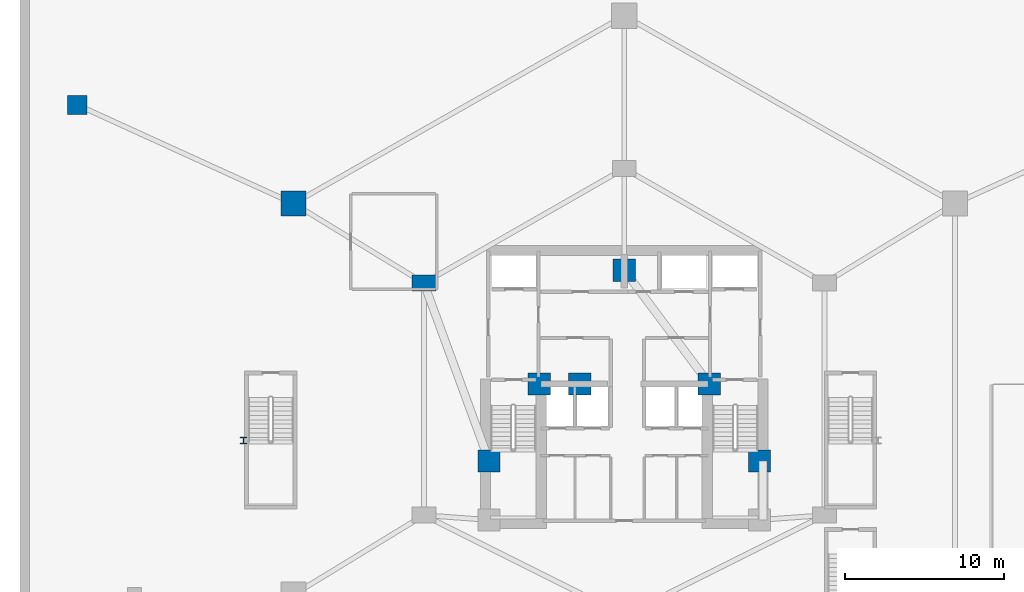
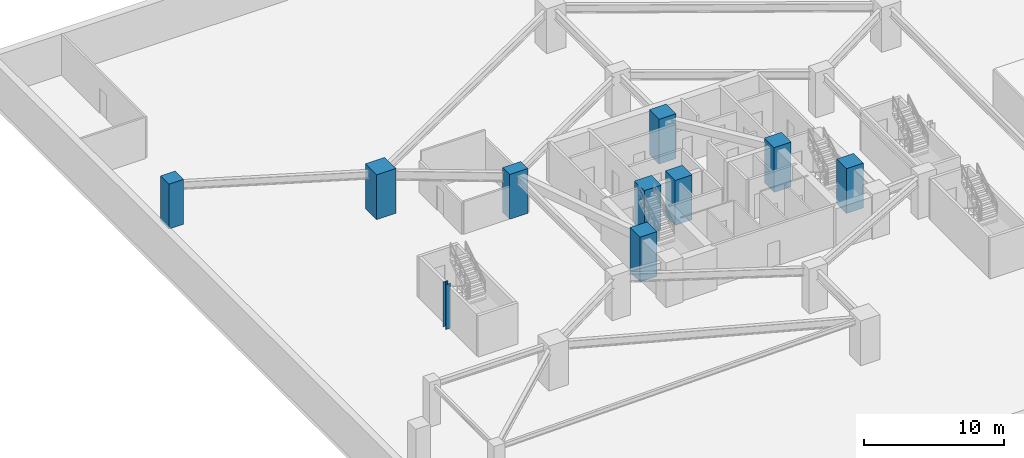
# One storey, part 2 of 12: 10 columns.
"""IFC4 building model written with IfcOpenShell, lengths in metres."""

from ifc_helpers import new_model, si_unit, direction, frame, origin, origin_2d, place, context, subcontext, project, spatial, rectangle, i_section, extrude, material, material_profile, profile_set, type_object, element, save


model = new_model("IFC4")

# Units and contexts
model_context = context("Model", 3, precision=1e-05, world=origin(), true_north=direction((0.0, 1.0)))
body_context = subcontext(model_context, "Body", "Model", "MODEL_VIEW")
ifc_project = project(units=[si_unit("LENGTHUNIT", "METRE"), si_unit("AREAUNIT", "SQUARE_METRE"), si_unit("VOLUMEUNIT", "CUBIC_METRE"), si_unit("PLANEANGLEUNIT", "RADIAN"), si_unit("MASSUNIT", "GRAM", prefix="KILO")], contexts=[model_context])

# Site, building, storey
site_placement = place(None, origin())
site = spatial("IfcSite", under=ifc_project, at=site_placement, CompositionType="ELEMENT")
building_placement = place(site_placement, origin())
building = spatial("IfcBuilding", under=site, at=building_placement, Name="Miruveldt Soraemaru", CompositionType="ELEMENT")
storey_placement = place(building_placement, frame((0.0, 0.0, -7.800048828125)))
storey = spatial("IfcBuildingStorey", under=building, at=storey_placement, Name="B2", CompositionType="ELEMENT", Elevation=-7.800048828125)

# Columns
ifc_material_1 = material(Name="Concrete C70/85 (70 MPa)", Category="concrete")
ifc_material_profile_1 = material_profile(ifc_material_1, rectangle(XDim=1.199951171875, YDim=1.199951171875, at=origin_2d()), Name="Concrete C70/85 (70 MPa)", Category="concrete")
ifc_profile_set_1 = profile_set([ifc_material_profile_1], Name="Concrete C70/85 (70 MPa)")
column_type_1 = type_object("IfcColumnType", Name="COL-CORE-1200", PredefinedType="COLUMN", material=ifc_profile_set_1)
column_1_placement = place(storey_placement, frame((9.60009765625, 61.60009765625, 0.0), z_axis=(0.0, 0.0, 1.0), x_axis=(1.0, 0.0, 0.0)))
element("IfcColumn", 1, at=column_1_placement, inside=storey, type_object=column_type_1, Name="B2 Structural Column BC2", PredefinedType="COLUMN", context=body_context, shape_type="SweptSolid", body=[
    extrude(rectangle(XDim=1.199951171875, YDim=1.199951171875, at=origin_2d()), origin(), (0.0, 0.0, 1.0), 3.900146484375),
])
ifc_material_2 = material(Name="Concrete C80/95 (80 MPa)", Category="concrete")
ifc_material_profile_2 = material_profile(ifc_material_2, rectangle(XDim=1.39990234375, YDim=1.39990234375, at=origin_2d()), Name="Concrete C80/95 (80 MPa)", Category="concrete")
ifc_profile_set_2 = profile_set([ifc_material_profile_2], Name="Concrete C80/95 (80 MPa)")
column_type_2 = type_object("IfcColumnType", Name="COL-MEGA-1400", PredefinedType="COLUMN", material=ifc_profile_set_2)
for number, where, z_axis, x_axis, name in (
    (2, (38.64990234375, 44.050048828125, 0.0), (0.0, 0.0, 1.0), (1.0, 0.0, 0.0), "B2 Structural Column CC2"),
    (3, (52.5, 39.199951171875, 0.0), (0.0, 0.0, 1.0), (1.0, 0.0, 0.0), "B2 Structural Column CC4"),
    (4, (49.35009765625, 44.050048828125, 0.0), (0.0, 0.0, 1.0), (1.0, 0.0, 0.0), "B2 Structural Column CC5"),
    (5, (44.0, 51.199951171875, 0.0), (0.0, 0.0, 1.0), (1.0, 0.0, 0.0), "B2 Structural Column CC6"),
    (6, (35.5, 39.199951171875, 0.0), (0.0, 0.0, 1.0), (1.0, 0.0, 0.0), "B2 Structural Column CC7"),
    (7, (41.199951171875, 44.050048828125, 0.0), (0.0, 0.0, 1.0), (1.0, 0.0, 0.0), "B2 Structural Column CC8"),
):
    element("IfcColumn", number, at=place(storey_placement, frame(where, z_axis=z_axis, x_axis=x_axis)), inside=storey, type_object=column_type_2, Name=name, PredefinedType="COLUMN", context=body_context, shape_type="SweptSolid", body=[
        extrude(rectangle(XDim=1.39990234375, YDim=1.39990234375, at=origin_2d()), origin(), (0.0, 0.0, 1.0), 3.900146484375),
    ])
ifc_material_profile_3 = material_profile(ifc_material_2, rectangle(XDim=1.60009765625, YDim=1.60009765625, at=origin_2d()), Name="Concrete C80/95 (80 MPa)", Category="concrete")
ifc_profile_set_3 = profile_set([ifc_material_profile_3], Name="Concrete C80/95 (80 MPa)")
column_type_3 = type_object("IfcColumnType", Name="COL-MEGA-1600", PredefinedType="COLUMN", material=ifc_profile_set_3)
column_2_placement = place(storey_placement, frame((23.199951171875, 55.39990234375, 0.0), z_axis=(0.0, 0.0, 1.0), x_axis=(1.0, 0.0, 0.0)))
element("IfcColumn", 8, at=column_2_placement, inside=storey, type_object=column_type_3, Name="B2 Structural Column PM06", PredefinedType="COLUMN", context=body_context, shape_type="SweptSolid", body=[
    extrude(rectangle(XDim=1.60009765625, YDim=1.60009765625, at=origin_2d()), origin(), (0.0, 0.0, 1.0), 3.900146484375),
])
ifc_material_3 = material(Name="Steel S460 (460 MPa)", Category="steel")
ifc_material_profile_4 = material_profile(ifc_material_3, i_section(OverallWidth=0.39990234375, OverallDepth=0.39990234375, WebThickness=0.012939453125, FlangeThickness=0.02099609375, FilletRadius=0.02197265625, at=origin_2d()), Name="Steel S460 (460 MPa)", Category="steel")
ifc_profile_set_4 = profile_set([ifc_material_profile_4], Name="Steel S460 (460 MPa)")
column_type_4 = type_object("IfcColumnType", Name="COL-PIL-400", PredefinedType="PILASTER", material=ifc_profile_set_4)
column_3_placement = place(storey_placement, frame((20.050048828125, 40.5, 0.0), z_axis=(0.0, 0.0, 1.0), x_axis=(1.0, 0.0, 0.0)))
element("IfcColumn", 9, at=column_3_placement, inside=storey, type_object=column_type_4, Name="B2 Structural Column PIL1", PredefinedType="PILASTER", context=body_context, shape_type="SweptSolid", body=[
    extrude(i_section(OverallWidth=0.39990234375, OverallDepth=0.39990234375, WebThickness=0.012939453125, FlangeThickness=0.02099609375, FilletRadius=0.02197265625, at=origin_2d()), origin(), (0.0, 0.0, 1.0), 3.900146484375),
])
ifc_material_profile_5 = material_profile(ifc_material_2, rectangle(XDim=1.5, YDim=1.0, at=origin_2d()), Name="Concrete C80/95 (80 MPa)", Category="concrete")
ifc_profile_set_5 = profile_set([ifc_material_profile_5], Name="Concrete C80/95 (80 MPa)")
column_type_5 = type_object("IfcColumnType", Name="COL-TW-Z1A", PredefinedType="COLUMN", material=ifc_profile_set_5)
column_4_placement = place(storey_placement, frame((31.39990234375, 50.39990234375, 0.0), z_axis=(0.0, 0.0, 1.0), x_axis=(1.0, 0.0, 0.0)))
element("IfcColumn", 10, at=column_4_placement, inside=storey, type_object=column_type_5, Name="B2 Structural Column IR06", PredefinedType="COLUMN", context=body_context, shape_type="SweptSolid", body=[
    extrude(rectangle(XDim=1.5, YDim=1.0, at=origin_2d()), origin(), (0.0, 0.0, 1.0), 3.900146484375),
])

save(model, "model.ifc")
